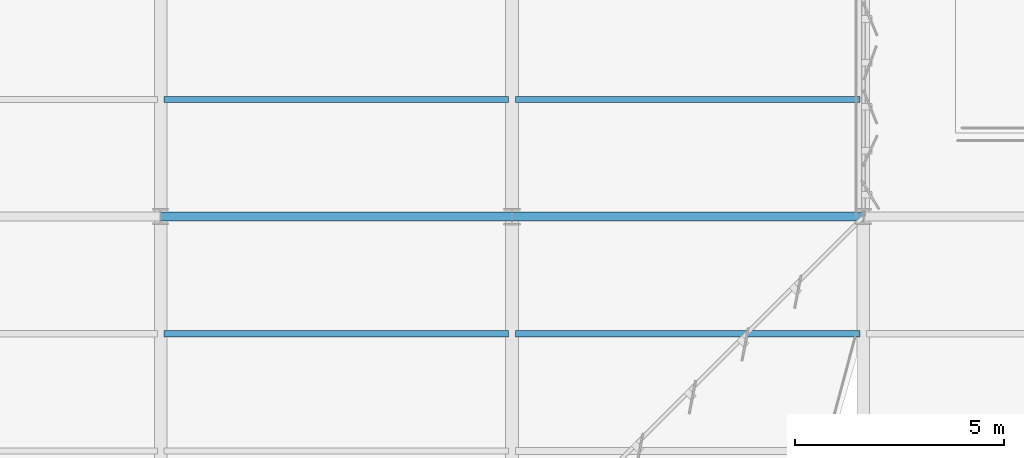
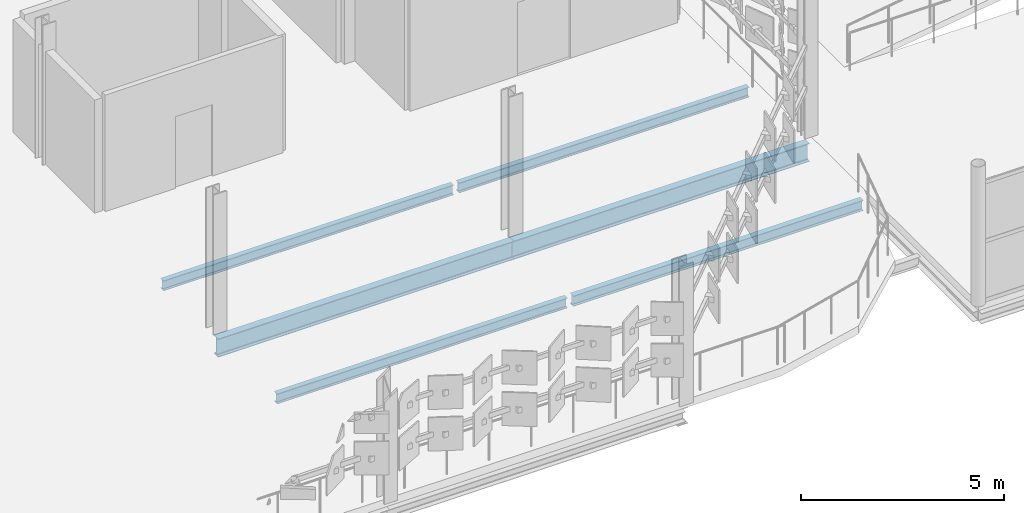
# One storey, part 129 of 184: 6 beams.
"""IFC4 building model written with IfcOpenShell, lengths in metres."""

from ifc_helpers import new_model, si_unit, direction, frame, origin, origin_2d, place, context, subcontext, project, spatial, i_section, extrude, material, material_profile, profile_set, type_object, element, save


model = new_model("IFC4")

# Units and contexts
model_context = context("Model", 3, precision=1e-05, world=origin(), true_north=direction((0.0, 1.0)))
body_context = subcontext(model_context, "Body", "Model", "MODEL_VIEW")
ifc_project = project(units=[si_unit("LENGTHUNIT", "METRE"), si_unit("AREAUNIT", "SQUARE_METRE"), si_unit("VOLUMEUNIT", "CUBIC_METRE"), si_unit("PLANEANGLEUNIT", "RADIAN"), si_unit("MASSUNIT", "GRAM", prefix="KILO")], contexts=[model_context])

# Site, building, storey
site_placement = place(None, origin())
site = spatial("IfcSite", under=ifc_project, at=site_placement, CompositionType="ELEMENT")
building_placement = place(site_placement, origin())
building = spatial("IfcBuilding", under=site, at=building_placement, Name="Qalvenar Corner Mobility Hub", CompositionType="ELEMENT")
storey_placement = place(building_placement, frame((0.0, 0.0, 9.0)))
storey = spatial("IfcBuildingStorey", under=building, at=storey_placement, Name="L02", CompositionType="ELEMENT", Elevation=9.0)

# Beams
ifc_material = material(Name="Steel S355", Category="steel")
ifc_material_profile_1 = material_profile(ifc_material, i_section(OverallWidth=0.2099609375, OverallDepth=0.550048828125, WebThickness=0.010986328125, FlangeThickness=0.01708984375, FilletRadius=0.02392578125, at=origin_2d()), Name="IPE550")
ifc_profile_set_1 = profile_set([ifc_material_profile_1], Name="Steel S355")
beam_type_1 = type_object("IfcBeamType", Name="BM-IPE550", PredefinedType="BEAM", material=ifc_profile_set_1)
beam_1_placement = place(storey_placement, frame((126.0, 75.60009765625, -0.514892578125), z_axis=(1.0, 0.0, 0.0), x_axis=(0.0, 1.0, 0.0)))
element("IfcBeam", 1, at=beam_1_placement, inside=storey, type_object=beam_type_1, Name="Primary Steel Girder GX-1918", PredefinedType="BEAM", context=body_context, shape_type="SweptSolid", body=[
    extrude(i_section(OverallWidth=0.2099609375, OverallDepth=0.550048828125, WebThickness=0.010986328125, FlangeThickness=0.01708984375, FilletRadius=0.02392578125, at=origin_2d()), origin(), (0.0, 0.0, 1.0), 8.39990234375),
])
beam_2_placement = place(storey_placement, frame((134.39990234375, 75.60009765625, -0.514892578125), z_axis=(1.0, 0.0, 0.0), x_axis=(0.0, 1.0, 0.0)))
element("IfcBeam", 2, at=beam_2_placement, inside=storey, type_object=beam_type_1, Name="Primary Steel Girder GX-1919", PredefinedType="BEAM", context=body_context, shape_type="SweptSolid", body=[
    extrude(i_section(OverallWidth=0.2099609375, OverallDepth=0.550048828125, WebThickness=0.010986328125, FlangeThickness=0.01708984375, FilletRadius=0.02392578125, at=origin_2d()), origin(), (0.0, 0.0, 1.0), 8.400146484375),
])
ifc_material_profile_2 = material_profile(ifc_material, i_section(OverallWidth=0.14990234375, OverallDepth=0.300048828125, WebThickness=0.007080078125, FlangeThickness=0.0107421875, FilletRadius=0.014892578125, at=origin_2d()), Name="IPE300")
ifc_profile_set_2 = profile_set([ifc_material_profile_2], Name="Steel S355")
beam_type_2 = type_object("IfcBeamType", Name="BM-JST300", PredefinedType="JOIST", material=ifc_profile_set_2)
for number, where, z_axis, x_axis, name in (
    (3, (126.077880859375, 72.800048828125, -0.389892578125), (1.0, 0.0, 0.0), (0.0, 1.0, 0.0), "Composite Floor Joist J-2095"),
    (4, (126.077880859375, 78.39990234375, -0.389892578125), (1.0, 0.0, 0.0), (0.0, 1.0, 0.0), "Composite Floor Joist J-2096"),
):
    element("IfcBeam", number, at=place(storey_placement, frame(where, z_axis=z_axis, x_axis=x_axis)), inside=storey, type_object=beam_type_2, Name=name, PredefinedType="JOIST", context=body_context, shape_type="SweptSolid", body=[
        extrude(i_section(OverallWidth=0.14990234375, OverallDepth=0.300048828125, WebThickness=0.007080078125, FlangeThickness=0.0107421875, FilletRadius=0.014892578125, at=origin_2d()), origin(), (0.0, 0.0, 1.0), 8.244140625),
    ])
beam_3_placement = place(storey_placement, frame((134.47802734375, 78.39990234375, -0.389892578125), z_axis=(1.0, 0.0, 0.0), x_axis=(0.0, 1.0, 0.0)))
element("IfcBeam", 5, at=beam_3_placement, inside=storey, type_object=beam_type_2, Name="Composite Floor Joist J-2106", PredefinedType="JOIST", context=body_context, shape_type="SweptSolid", body=[
    extrude(i_section(OverallWidth=0.14990234375, OverallDepth=0.300048828125, WebThickness=0.007080078125, FlangeThickness=0.0107421875, FilletRadius=0.014892578125, at=origin_2d()), origin(), (0.0, 0.0, 1.0), 8.243896484375),
])
ifc_material_profile_3 = material_profile(ifc_material, i_section(OverallWidth=0.1650390625, OverallDepth=0.31005859375, WebThickness=0.005859375, FlangeThickness=0.009765625, FilletRadius=0.011962890625, at=origin_2d()), Name="W310x38.7")
ifc_profile_set_3 = profile_set([ifc_material_profile_3], Name="Steel S355")
beam_type_3 = type_object("IfcBeamType", Name="BM-JST310", PredefinedType="JOIST", material=ifc_profile_set_3)
beam_4_placement = place(storey_placement, frame((134.47802734375, 72.800048828125, -0.39501953125), z_axis=(1.0, 0.0, 0.0), x_axis=(0.0, 1.0, 0.0)))
element("IfcBeam", 6, at=beam_4_placement, inside=storey, type_object=beam_type_3, Name="Composite Floor Joist J-2145", PredefinedType="JOIST", context=body_context, shape_type="SweptSolid", body=[
    extrude(i_section(OverallWidth=0.1650390625, OverallDepth=0.31005859375, WebThickness=0.005859375, FlangeThickness=0.009765625, FilletRadius=0.011962890625, at=origin_2d()), origin(), (0.0, 0.0, 1.0), 8.243896484375),
])

save(model, "model.ifc")
